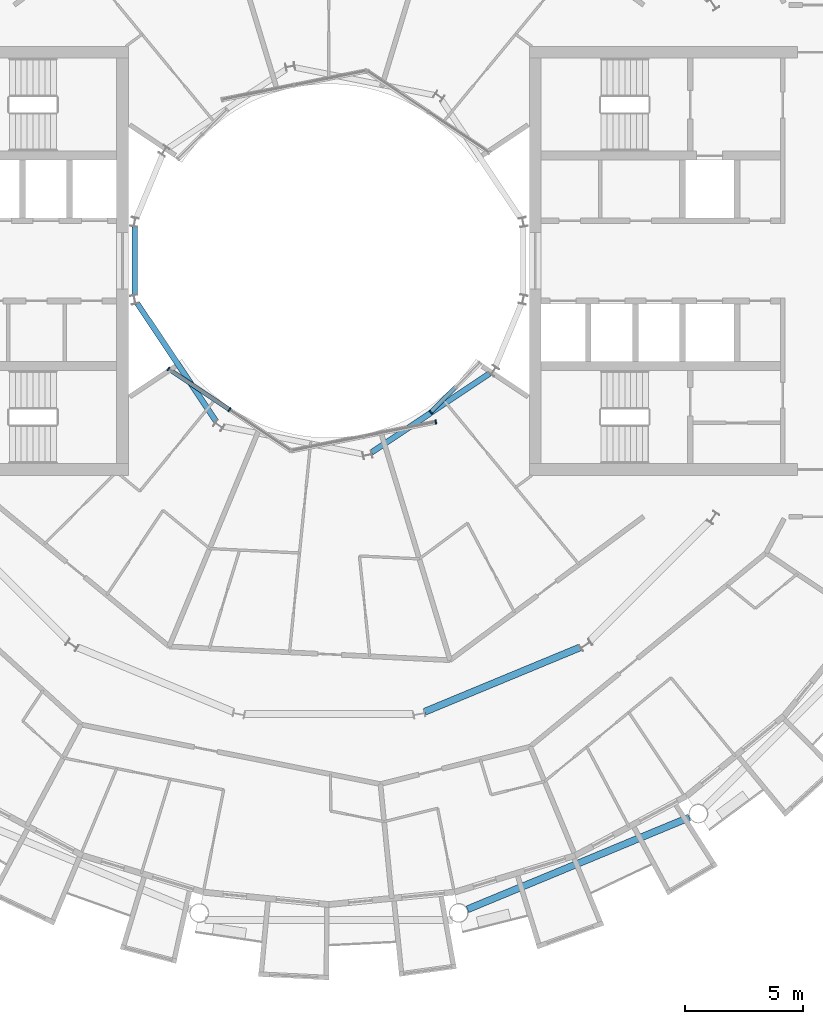
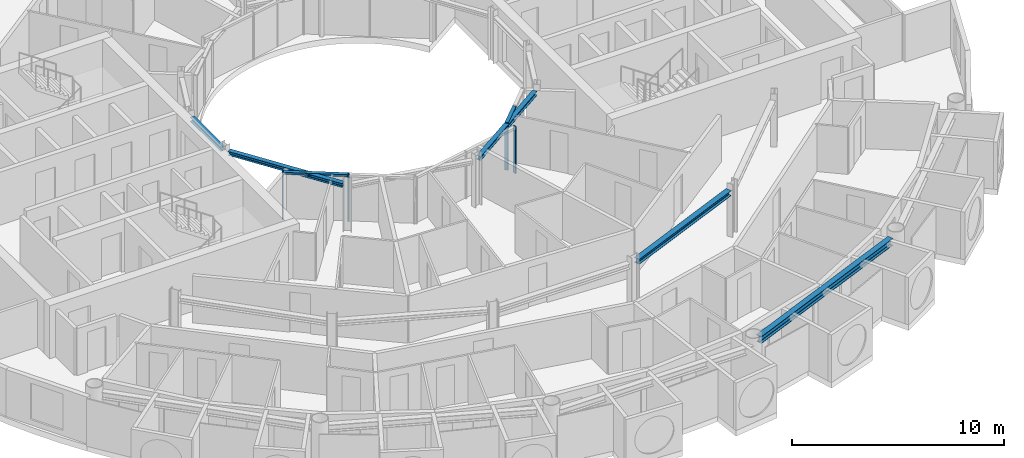
# One storey, part 6 of 26: 6 members, 5 beams, 3 elements without a shape of their own.
"""IFC4 building model written with IfcOpenShell, lengths in metres."""

from ifc_helpers import new_model, si_unit, direction, frame, origin, origin_2d, place, context, subcontext, project, spatial, rectangle, i_section, extrude, material, layer, layer_set, material_profile, profile_set, type_object, element, aggregate, save


model = new_model("IFC4")

# Units and contexts
model_context = context("Model", 3, precision=1e-05, world=origin(), true_north=direction((0.0, 1.0)))
body_context = subcontext(model_context, "Body", "Model", "MODEL_VIEW")
ifc_project = project(units=[si_unit("LENGTHUNIT", "METRE"), si_unit("AREAUNIT", "SQUARE_METRE"), si_unit("VOLUMEUNIT", "CUBIC_METRE"), si_unit("PLANEANGLEUNIT", "RADIAN"), si_unit("MASSUNIT", "GRAM", prefix="KILO")], contexts=[model_context])

# Site, building, storey
site_placement = place(None, origin())
site = spatial("IfcSite", under=ifc_project, at=site_placement, CompositionType="ELEMENT")
building_placement = place(site_placement, origin())
building = spatial("IfcBuilding", under=site, at=building_placement, Name="Maasbend Ring Residences", CompositionType="ELEMENT")
storey_placement = place(building_placement, frame((0.0, 0.0, 154.35009765625)))
storey = spatial("IfcBuildingStorey", under=building, at=storey_placement, Name="L44", CompositionType="ELEMENT", Elevation=154.35009765625)

# Curtain wall, members
ifc_material_1 = material(Name="Aluminium and clear glass", Category="aluminium")
ifc_layer = layer(ifc_material_1, 0.179931640625)
ifc_layer_set = layer_set([ifc_layer], Name="CW-W")
curtain_wall_type = type_object("IfcCurtainWallType", Name="CW-W", PredefinedType="NOTDEFINED", material=ifc_layer_set)
curtain_wall_1_placement = place(storey_placement, origin())
curtain_wall_1 = element("IfcCurtainWall", 1, at=curtain_wall_1_placement, inside=storey, type_object=curtain_wall_type, Name="Well curtain wall S1", PredefinedType="NOTDEFINED")
ifc_material_2 = material(Name="Aluminium 6063-T6", Category="aluminium")
ifc_material_profile_1 = material_profile(ifc_material_2, rectangle(XDim=0.179931640625, YDim=0.06005859375, at=origin_2d()), Name="AL 180x60")
ifc_profile_set_1 = profile_set([ifc_material_profile_1], Name="Aluminium 6063-T6")
member_type_1 = type_object("IfcMemberType", Name="CWM-W", PredefinedType="MULLION", material=ifc_profile_set_1)
member_1_placement = place(storey_placement, frame((-6.805908203125, -4.580810546875, 0.0), z_axis=(0.0, 0.0, 1.0), x_axis=(0.55557023302, 0.831469612303, 0.0)))
member_1 = element("IfcMember", 2, at=member_1_placement, type_object=member_type_1, Name="Mullion well face", PredefinedType="MULLION", context=body_context, shape_type="SweptSolid", body=[
    extrude(rectangle(XDim=0.179931640625, YDim=0.06005859375, at=origin_2d()), origin(), (0.0, 0.0, 1.0), 2.699951171875),
])
member_2_placement = place(storey_placement, frame((-4.216796875, -6.310791015625, 0.0), z_axis=(0.0, 0.0, 1.0), x_axis=(0.55557023302, 0.831469612303, 0.0)))
member_2 = element("IfcMember", 3, at=member_2_placement, type_object=member_type_1, Name="Mullion well face", PredefinedType="MULLION", context=body_context, shape_type="SweptSolid", body=[
    extrude(rectangle(XDim=0.179931640625, YDim=0.06005859375, at=origin_2d()), origin(), (0.0, 0.0, 1.0), 2.699951171875),
])

# Curtain wall, member
curtain_wall_2_placement = place(storey_placement, origin())
curtain_wall_2 = element("IfcCurtainWall", 4, at=curtain_wall_2_placement, inside=storey, type_object=curtain_wall_type, Name="Well curtain wall S2", PredefinedType="NOTDEFINED")
member_3_placement = place(storey_placement, frame((4.53466796875, -6.836669921875, 0.0), z_axis=(0.0, 0.0, 1.0), x_axis=(-0.195090322016, 0.980785280403, 0.0)))
member_3 = element("IfcMember", 5, at=member_3_placement, type_object=member_type_1, Name="Mullion well face", PredefinedType="MULLION", context=body_context, shape_type="SweptSolid", body=[
    extrude(rectangle(XDim=0.179931640625, YDim=0.06005859375, at=origin_2d()), origin(), (0.0, 0.0, 1.0), 2.699951171875),
])
aggregate(curtain_wall_2, [member_3])

curtain_wall_3_placement = place(storey_placement, origin())
curtain_wall_3 = element("IfcCurtainWall", 6, at=curtain_wall_3_placement, inside=storey, type_object=curtain_wall_type, Name="Well curtain wall S3", PredefinedType="NOTDEFINED")
member_4_placement = place(storey_placement, frame((4.320556640625, -6.413330078125, 0.0), z_axis=(0.0, 0.0, 1.0), x_axis=(-0.707106781187, 0.707106781187, 0.0)))
member_4 = element("IfcMember", 7, at=member_4_placement, type_object=member_type_1, Name="Mullion well face", PredefinedType="MULLION", context=body_context, shape_type="SweptSolid", body=[
    extrude(rectangle(XDim=0.179931640625, YDim=0.06005859375, at=origin_2d()), origin(), (0.0, 0.0, 1.0), 2.699951171875),
])

# Member
ifc_material_3 = material(Name="Aluminium 6063-T6", Category="aluminium")
ifc_material_profile_2 = material_profile(ifc_material_3, rectangle(XDim=0.179931640625, YDim=0.1201171875, at=origin_2d()), Name="AL 180x120")
ifc_profile_set_2 = profile_set([ifc_material_profile_2], Name="Aluminium 6063-T6")
member_type_2 = type_object("IfcMemberType", Name="CWT-W", PredefinedType="USERDEFINED", material=ifc_profile_set_2)
member_5_placement = place(storey_placement, frame((-6.781005859375, -4.59765625, 2.639892578125), z_axis=(0.831496422459, -0.555530106689, 0.0), x_axis=(0.555530106689, 0.831496422459, 0.0)))
member_5 = element("IfcMember", 8, at=member_5_placement, type_object=member_type_2, Name="Transom well face", ObjectType="TRANSOM", PredefinedType="USERDEFINED", context=body_context, shape_type="SweptSolid", body=[
    extrude(rectangle(XDim=0.179931640625, YDim=0.1201171875, at=origin_2d()), origin(), (0.0, 0.0, 1.0), 3.053955078125),
])

aggregate(curtain_wall_1, [member_1, member_2, member_5])

member_6_placement = place(storey_placement, frame((4.341796875, -6.39208984375, 2.639892578125), z_axis=(0.707106781187, 0.707106781187, 0.0), x_axis=(-0.707106781187, 0.707106781187, 0.0)))
member_6 = element("IfcMember", 9, at=member_6_placement, type_object=member_type_2, Name="Transom well face", ObjectType="TRANSOM", PredefinedType="USERDEFINED", context=body_context, shape_type="SweptSolid", body=[
    extrude(rectangle(XDim=0.179931640625, YDim=0.1201171875, at=origin_2d()), origin(), (0.0, 0.0, 1.0), 1.419677734375),
])

aggregate(curtain_wall_3, [member_4, member_6])

# Beams
ifc_material_4 = material(Name="Steel S355J2", Category="steel")
ifc_material_profile_3 = material_profile(ifc_material_4, i_section(OverallWidth=0.300048828125, OverallDepth=0.2900390625, WebThickness=0.008544921875, FlangeThickness=0.013916015625, FilletRadius=0.027099609375, at=origin_2d()), Name="HEA 300")
ifc_profile_set_3 = profile_set([ifc_material_profile_3], Name="Steel S355J2")
beam_type_1 = type_object("IfcBeamType", Name="Corridor ring beam HEA 300", PredefinedType="BEAM", material=ifc_profile_set_3)
beam_1_placement = place(storey_placement, frame((4.059326171875, -19.1259765625, 2.554931640625), z_axis=(0.923871339849, 0.382703210602, 0.0), x_axis=(-0.382703210602, 0.923871339849, 0.0)))
element("IfcBeam", 10, at=beam_1_placement, inside=storey, type_object=beam_type_1, Name="Corridor ring beam", PredefinedType="BEAM", context=body_context, shape_type="SweptSolid", body=[
    extrude(i_section(OverallWidth=0.300048828125, OverallDepth=0.2900390625, WebThickness=0.008544921875, FlangeThickness=0.013916015625, FilletRadius=0.027099609375, at=origin_2d()), origin(), (0.0, 0.0, 1.0), 7.137939453125),
])
ifc_material_5 = material(Name="Steel S355J2", Category="steel")
ifc_material_profile_4 = material_profile(ifc_material_5, i_section(OverallWidth=0.300048828125, OverallDepth=0.39990234375, WebThickness=0.013427734375, FlangeThickness=0.02392578125, FilletRadius=0.027099609375, at=origin_2d()), Name="HEB 400")
ifc_profile_set_4 = profile_set([ifc_material_profile_4], Name="Steel S355J2")
beam_type_2 = type_object("IfcBeamType", Name="Spandrel ring beam HEB 400", PredefinedType="SPANDREL", material=ifc_profile_set_4)
beam_2_placement = place(storey_placement, frame((5.877197265625, -27.50244140625, 2.5), z_axis=(0.923883676188, 0.382673428492, 0.0), x_axis=(-0.382673428492, 0.923883676188, 0.0)))
element("IfcBeam", 11, at=beam_2_placement, inside=storey, type_object=beam_type_2, Name="Spandrel ring beam", PredefinedType="SPANDREL", context=body_context, shape_type="SweptSolid", body=[
    extrude(i_section(OverallWidth=0.300048828125, OverallDepth=0.39990234375, WebThickness=0.013427734375, FlangeThickness=0.02392578125, FilletRadius=0.027099609375, at=origin_2d()), origin(), (0.0, 0.0, 1.0), 10.18994140625),
])
ifc_material_6 = material(Name="Steel S355J2", Category="steel")
ifc_material_profile_5 = material_profile(ifc_material_6, i_section(OverallWidth=0.239990234375, OverallDepth=0.22998046875, WebThickness=0.007568359375, FlangeThickness=0.011962890625, FilletRadius=0.02099609375, at=origin_2d()), Name="HEA 240")
ifc_profile_set_5 = profile_set([ifc_material_profile_5], Name="Steel S355J2")
beam_type_3 = type_object("IfcBeamType", Name="Well edge beam HEA 240", PredefinedType="BEAM", material=ifc_profile_set_5)
beam_3_placement = place(storey_placement, frame((-8.238525390625, 1.43994140625, 2.5849609375), z_axis=(0.0, -1.0, 0.0), x_axis=(1.0, 0.0, 0.0)))
element("IfcBeam", 12, at=beam_3_placement, inside=storey, type_object=beam_type_3, Name="Well edge beam", PredefinedType="BEAM", context=body_context, shape_type="SweptSolid", body=[
    extrude(i_section(OverallWidth=0.239990234375, OverallDepth=0.22998046875, WebThickness=0.007568359375, FlangeThickness=0.011962890625, FilletRadius=0.02099609375, at=origin_2d()), origin(), (0.0, 0.0, 1.0), 2.8798828125),
])
for number, where, z_axis, x_axis, name in (
    (13, (-8.121337890625, -1.814208984375, 2.5849609375), (0.555553413909, -0.831480850227, 0.0), (0.831480850227, 0.555553413909, 0.0), "Well edge beam"),
    (14, (1.814208984375, -8.121337890625, 2.5849609375), (0.831480850227, 0.555553413909, 0.0), (-0.555553413909, 0.831480850227, 0.0), "Well edge beam"),
):
    element("IfcBeam", number, at=place(storey_placement, frame(where, z_axis=z_axis, x_axis=x_axis)), inside=storey, type_object=beam_type_3, Name=name, PredefinedType="BEAM", context=body_context, shape_type="SweptSolid", body=[
        extrude(i_section(OverallWidth=0.239990234375, OverallDepth=0.22998046875, WebThickness=0.007568359375, FlangeThickness=0.011962890625, FilletRadius=0.02099609375, at=origin_2d()), origin(), (0.0, 0.0, 1.0), 6.0068359375),
    ])

save(model, "model.ifc")
